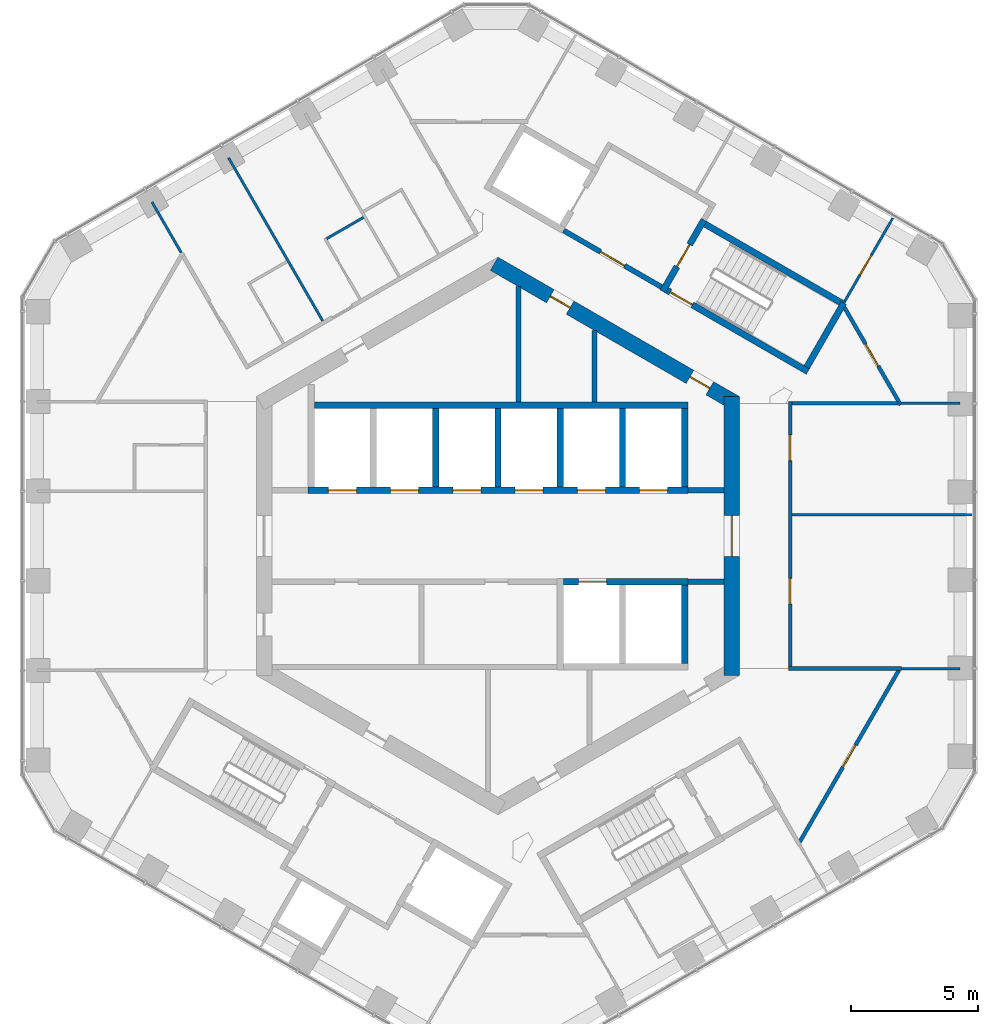
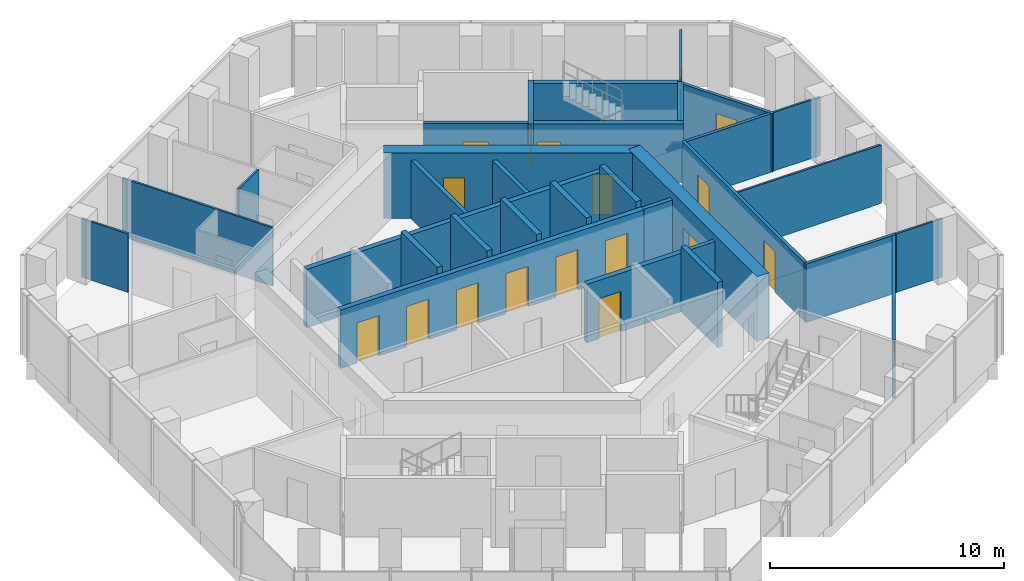
# One storey, part 16 of 19: 32 walls, 18 doors, 18 openings.
"""IFC4 building model written with IfcOpenShell, lengths in metres."""

from ifc_helpers import new_model, si_unit, direction, frame, frame_2d, origin, place, context, subcontext, project, spatial, rectangle, extrude, material, layer, layer_set, type_object, element, fill, save


model = new_model("IFC4")

# Units and contexts
model_context = context("Model", 3, precision=1e-05, world=origin(), true_north=direction((0.0, 1.0)))
body_context = subcontext(model_context, "Body", "Model", "MODEL_VIEW")
ifc_project = project(units=[si_unit("LENGTHUNIT", "METRE"), si_unit("AREAUNIT", "SQUARE_METRE"), si_unit("VOLUMEUNIT", "CUBIC_METRE"), si_unit("PLANEANGLEUNIT", "RADIAN"), si_unit("MASSUNIT", "GRAM", prefix="KILO")], contexts=[model_context])

# Site, building, storey
site_placement = place(None, origin())
site = spatial("IfcSite", under=ifc_project, at=site_placement, CompositionType="ELEMENT")
building_placement = place(site_placement, origin())
building = spatial("IfcBuilding", under=site, at=building_placement, Name="Ayvan Gate Tower", CompositionType="ELEMENT")
storey_placement = place(building_placement, frame((0.0, 0.0, 156.10009765625)))
storey = spatial("IfcBuildingStorey", under=building, at=storey_placement, Name="L41", CompositionType="ELEMENT", Elevation=156.10009765625)

# Wall, opening, door
ifc_material_1 = material(Name="Concrete C60/75", Category="concrete")
ifc_layer_1 = layer(ifc_material_1, 0.60009765625)
ifc_layer_set_1 = layer_set([ifc_layer_1], Name="Concrete C60/75")
wall_type_1 = type_object("IfcWallType", Name="Core wall 600 C60/75", PredefinedType="SHEAR", material=ifc_layer_set_1)
wall_1_placement = place(storey_placement, frame((9.199951171875, -5.48486328125, 0.0), z_axis=(0.0, 0.0, 1.0), x_axis=(0.0, 1.0, 0.0)))
wall_1 = element("IfcWall", 1, at=wall_1_placement, inside=storey, type_object=wall_type_1, Name="CORE-L41-0", PredefinedType="SHEAR", context=body_context, shape_type="SweptSolid", body=[
    extrude(rectangle(XDim=10.9697265625, YDim=0.60009765625, at=frame_2d((5.48486328125, 0.0))), origin(), (0.0, 0.0, 1.0), 3.39990234375),
])
opening_1_placement = place(wall_1_placement, frame((4.684814453125, 0.0, 0.0)))
opening_1 = element("IfcOpeningElement", 2, at=opening_1_placement, cuts=wall_1, Name="Opening L41-D52", PredefinedType="OPENING", context=body_context, shape_type="SweptSolid", body=[
    extrude(rectangle(XDim=1.60009765625, YDim=2.10009765625, at=frame_2d((0.800048828125, 1.050048828125))), frame((0.0, 0.31005859375, 0.0), z_axis=(0.0, -1.0, 0.0), x_axis=(1.0, 0.0, 0.0)), (0.0, 0.0, 1.0), 0.6201171875),
])
ifc_material_2 = material(Name="Timber door leaf", Category="wood")
door_type_1 = type_object("IfcDoorType", Name="DT-1600", OperationType="NOTDEFINED", PredefinedType="DOOR", material=ifc_material_2)
door_1_placement = place(opening_1_placement, origin())
door_1 = element("IfcDoor", 3, at=door_1_placement, inside=storey, type_object=door_type_1, Name="CD-L41-52", OperationType="SINGLE_SWING_LEFT", OverallHeight=2.10009765625, OverallWidth=1.60009765625, PredefinedType="DOOR", context=body_context, shape_type="SweptSolid", body=[
    extrude(rectangle(XDim=1.60009765625, YDim=2.10009765625, at=frame_2d((0.800048828125, 1.050048828125))), frame((0.0, 0.02490234375, 0.0), z_axis=(0.0, -1.0, 0.0), x_axis=(1.0, 0.0, 0.0)), (0.0, 0.0, 1.0), 0.050048828125),
])
fill(opening_1, door_1)

# Wall, openings, doors
wall_2_placement = place(storey_placement, frame((9.35009765625, 5.22509765625, 0.0), z_axis=(0.0, 0.0, 1.0), x_axis=(-0.866023993627, 0.500002442456, 0.0)))
wall_2 = element("IfcWall", 4, at=wall_2_placement, inside=storey, type_object=wall_type_1, Name="CORE-L41-1", PredefinedType="SHEAR", context=body_context, shape_type="SweptSolid", body=[
    extrude(rectangle(XDim=10.9697265625, YDim=0.60009765625, at=frame_2d((5.48486328125, 0.0))), origin(), (0.0, 0.0, 1.0), 3.39990234375),
])
opening_2_placement = place(wall_2_placement, frame((7.51806640625, 0.0, 0.0)))
opening_2 = element("IfcOpeningElement", 5, at=opening_2_placement, cuts=wall_2, Name="Opening L41-D46", PredefinedType="OPENING", context=body_context, shape_type="SweptSolid", body=[
    extrude(rectangle(XDim=0.89990234375, YDim=2.10009765625, at=frame_2d((0.449951171875, 1.050048828125))), frame((0.0, 0.31005859375, 0.0), z_axis=(0.0, -1.0, 0.0), x_axis=(1.0, 0.0, 0.0)), (0.0, 0.0, 1.0), 0.6201171875),
])
opening_3_placement = place(wall_2_placement, frame((1.171875, 0.0, 0.0)))
opening_3 = element("IfcOpeningElement", 6, at=opening_3_placement, cuts=wall_2, Name="Opening L41-D47", PredefinedType="OPENING", context=body_context, shape_type="SweptSolid", body=[
    extrude(rectangle(XDim=0.89990234375, YDim=2.10009765625, at=frame_2d((0.449951171875, 1.050048828125))), frame((0.0, 0.31005859375, 0.0), z_axis=(0.0, -1.0, 0.0), x_axis=(1.0, 0.0, 0.0)), (0.0, 0.0, 1.0), 0.6201171875),
])
door_type_2 = type_object("IfcDoorType", Name="DT-900", OperationType="NOTDEFINED", PredefinedType="DOOR", material=ifc_material_2)
door_2_placement = place(opening_2_placement, origin())
door_2 = element("IfcDoor", 7, at=door_2_placement, inside=storey, type_object=door_type_2, Name="CD-L41-46", OperationType="SINGLE_SWING_LEFT", OverallHeight=2.10009765625, OverallWidth=0.89990234375, PredefinedType="DOOR", context=body_context, shape_type="SweptSolid", body=[
    extrude(rectangle(XDim=0.89990234375, YDim=2.10009765625, at=frame_2d((0.449951171875, 1.050048828125))), frame((0.0, 0.02490234375, 0.0), z_axis=(0.0, -1.0, 0.0), x_axis=(1.0, 0.0, 0.0)), (0.0, 0.0, 1.0), 0.050048828125),
])
fill(opening_2, door_2)
door_3_placement = place(opening_3_placement, origin())
door_3 = element("IfcDoor", 8, at=door_3_placement, inside=storey, type_object=door_type_2, Name="CD-L41-47", OperationType="SINGLE_SWING_RIGHT", OverallHeight=2.10009765625, OverallWidth=0.89990234375, PredefinedType="DOOR", context=body_context, shape_type="SweptSolid", body=[
    extrude(rectangle(XDim=0.89990234375, YDim=2.10009765625, at=frame_2d((0.449951171875, 1.050048828125))), frame((0.0, 0.02490234375, 0.0), z_axis=(0.0, -1.0, 0.0), x_axis=(1.0, 0.0, 0.0)), (0.0, 0.0, 1.0), 0.050048828125),
])
fill(opening_3, door_3)

# Wall
ifc_material_3 = material(Name="Plasterboard on steel stud", Category="steel")
ifc_layer_2 = layer(ifc_material_3, 0.14990234375)
ifc_layer_set_2 = layer_set([ifc_layer_2], Name="Plasterboard on steel stud")
wall_type_2 = type_object("IfcWallType", Name="WT-CORR-150", PredefinedType="PARTITIONING", material=ifc_layer_set_2)
wall_3_placement = place(storey_placement, frame((11.4248046875, -5.2197265625, 0.0), z_axis=(0.0, 0.0, 1.0), x_axis=(1.0, 0.0, 0.0)))
element("IfcWall", 9, at=wall_3_placement, inside=storey, type_object=wall_type_2, Name="IW-L41-093", PredefinedType="PARTITIONING", context=body_context, shape_type="SweptSolid", body=[
    extrude(rectangle(XDim=4.460205078125, YDim=0.14990234375, at=frame_2d((2.22998046875, 0.0))), origin(), (0.0, 0.0, 1.0), 3.0498046875),
])

# Wall, openings, doors
wall_4_placement = place(storey_placement, frame((11.5, -5.144775390625, 0.0), z_axis=(0.0, 0.0, 1.0), x_axis=(0.0, 1.0, 0.0)))
wall_4 = element("IfcWall", 10, at=wall_4_placement, inside=storey, type_object=wall_type_2, Name="IW-L41-095", PredefinedType="PARTITIONING", context=body_context, shape_type="SweptSolid", body=[
    extrude(rectangle(XDim=10.439453125, YDim=0.14990234375, at=frame_2d((5.2197265625, 0.0))), origin(), (0.0, 0.0, 1.0), 3.0498046875),
])
opening_4_placement = place(wall_4_placement, frame((2.474853515625, 0.0, 0.0)))
opening_4 = element("IfcOpeningElement", 11, at=opening_4_placement, cuts=wall_4, Name="Opening L41-D21", PredefinedType="OPENING", context=body_context, shape_type="SweptSolid", body=[
    extrude(rectangle(XDim=1.0, YDim=2.10009765625, at=frame_2d((0.5, 1.050048828125))), frame((0.0, 0.0849609375, 0.0), z_axis=(0.0, -1.0, 0.0), x_axis=(1.0, 0.0, 0.0)), (0.0, 0.0, 1.0), 0.169921875),
])
opening_5_placement = place(wall_4_placement, frame((8.109375, 0.0, 0.0)))
opening_5 = element("IfcOpeningElement", 12, at=opening_5_placement, cuts=wall_4, Name="Opening L41-D22", PredefinedType="OPENING", context=body_context, shape_type="SweptSolid", body=[
    extrude(rectangle(XDim=1.0, YDim=2.10009765625, at=frame_2d((0.5, 1.050048828125))), frame((0.0, 0.0849609375, 0.0), z_axis=(0.0, -1.0, 0.0), x_axis=(1.0, 0.0, 0.0)), (0.0, 0.0, 1.0), 0.169921875),
])
door_type_3 = type_object("IfcDoorType", Name="DT-1000", OperationType="NOTDEFINED", PredefinedType="DOOR", material=ifc_material_2)
door_4_placement = place(opening_4_placement, origin())
door_4 = element("IfcDoor", 13, at=door_4_placement, inside=storey, type_object=door_type_3, Name="ID-L41-021", OperationType="SINGLE_SWING_RIGHT", OverallHeight=2.10009765625, OverallWidth=1.0, PredefinedType="DOOR", context=body_context, shape_type="SweptSolid", body=[
    extrude(rectangle(XDim=1.0, YDim=2.10009765625, at=frame_2d((0.5, 1.050048828125))), frame((0.0, 0.02490234375, 0.0), z_axis=(0.0, -1.0, 0.0), x_axis=(1.0, 0.0, 0.0)), (0.0, 0.0, 1.0), 0.050048828125),
])
fill(opening_4, door_4)
door_5_placement = place(opening_5_placement, origin())
door_5 = element("IfcDoor", 14, at=door_5_placement, inside=storey, type_object=door_type_3, Name="ID-L41-022", OperationType="SINGLE_SWING_LEFT", OverallHeight=2.10009765625, OverallWidth=1.0, PredefinedType="DOOR", context=body_context, shape_type="SweptSolid", body=[
    extrude(rectangle(XDim=1.0, YDim=2.10009765625, at=frame_2d((0.5, 1.050048828125))), frame((0.0, 0.02490234375, 0.0), z_axis=(0.0, -1.0, 0.0), x_axis=(1.0, 0.0, 0.0)), (0.0, 0.0, 1.0), 0.050048828125),
])
fill(opening_5, door_5)

# Wall, opening, door
wall_5_placement = place(storey_placement, frame((13.631103515625, 8.993408203125, 0.0), z_axis=(0.0, 0.0, 1.0), x_axis=(0.500013290014, -0.866017730655, 0.0)))
wall_5 = element("IfcWall", 15, at=wall_5_placement, inside=storey, type_object=wall_type_2, Name="IW-L41-099", PredefinedType="PARTITIONING", context=body_context, shape_type="SweptSolid", body=[
    extrude(rectangle(XDim=4.4326171875, YDim=0.14990234375, at=frame_2d((2.21630859375, 0.0))), origin(), (0.0, 0.0, 1.0), 3.0498046875),
])
opening_6_placement = place(wall_5_placement, frame((1.661376953125, 0.0, 0.0)))
opening_6 = element("IfcOpeningElement", 16, at=opening_6_placement, cuts=wall_5, Name="Opening L41-D23", PredefinedType="OPENING", context=body_context, shape_type="SweptSolid", body=[
    extrude(rectangle(XDim=1.0, YDim=2.10009765625, at=frame_2d((0.5, 1.050048828125))), frame((0.0, 0.0849609375, 0.0), z_axis=(0.0, -1.0, 0.0), x_axis=(1.0, 0.0, 0.0)), (0.0, 0.0, 1.0), 0.169921875),
])
door_6_placement = place(opening_6_placement, origin())
door_6 = element("IfcDoor", 17, at=door_6_placement, inside=storey, type_object=door_type_3, Name="ID-L41-023", OperationType="SINGLE_SWING_RIGHT", OverallHeight=2.10009765625, OverallWidth=1.0, PredefinedType="DOOR", context=body_context, shape_type="SweptSolid", body=[
    extrude(rectangle(XDim=1.0, YDim=2.10009765625, at=frame_2d((0.5, 1.050048828125))), frame((0.0, 0.02490234375, 0.0), z_axis=(0.0, -1.0, 0.0), x_axis=(1.0, 0.0, 0.0)), (0.0, 0.0, 1.0), 0.050048828125),
])
fill(opening_6, door_6)

# Wall
wall_6_placement = place(storey_placement, frame((15.73486328125, 5.2197265625, 0.0), z_axis=(0.0, 0.0, 1.0), x_axis=(-1.0, 0.0, 0.0)))
element("IfcWall", 18, at=wall_6_placement, inside=storey, type_object=wall_type_2, Name="IW-L41-103", PredefinedType="PARTITIONING", context=body_context, shape_type="SweptSolid", body=[
    extrude(rectangle(XDim=4.159912109375, YDim=0.14990234375, at=frame_2d((2.080078125, 0.0))), origin(), (0.0, 0.0, 1.0), 3.0498046875),
])

# Wall, opening, door
wall_7_placement = place(storey_placement, frame((15.7724609375, -5.28466796875, 0.0), z_axis=(0.0, 0.0, 1.0), x_axis=(-0.500018810599, -0.866014543207, 0.0)))
wall_7 = element("IfcWall", 19, at=wall_7_placement, inside=storey, type_object=wall_type_2, Name="IW-L41-104", PredefinedType="PARTITIONING", context=body_context, shape_type="SweptSolid", body=[
    extrude(rectangle(XDim=7.796630859375, YDim=0.14990234375, at=frame_2d((3.8984375, 0.0))), origin(), (0.0, 0.0, 1.0), 3.0498046875),
])
opening_7_placement = place(wall_7_placement, frame((3.398193359375, 0.0, 0.0)))
opening_7 = element("IfcOpeningElement", 20, at=opening_7_placement, cuts=wall_7, Name="Opening L41-D37", PredefinedType="OPENING", context=body_context, shape_type="SweptSolid", body=[
    extrude(rectangle(XDim=1.0, YDim=2.10009765625, at=frame_2d((0.5, 1.050048828125))), frame((0.0, 0.0849609375, 0.0), z_axis=(0.0, -1.0, 0.0), x_axis=(1.0, 0.0, 0.0)), (0.0, 0.0, 1.0), 0.169921875),
])
door_7_placement = place(opening_7_placement, origin())
door_7 = element("IfcDoor", 21, at=door_7_placement, inside=storey, type_object=door_type_3, Name="ID-L41-037", OperationType="SINGLE_SWING_RIGHT", OverallHeight=2.10009765625, OverallWidth=1.0, PredefinedType="DOOR", context=body_context, shape_type="SweptSolid", body=[
    extrude(rectangle(XDim=1.0, YDim=2.10009765625, at=frame_2d((0.5, 1.050048828125))), frame((0.0, 0.02490234375, 0.0), z_axis=(0.0, -1.0, 0.0), x_axis=(1.0, 0.0, 0.0)), (0.0, 0.0, 1.0), 0.050048828125),
])
fill(opening_7, door_7)

# Walls
ifc_layer_3 = layer(ifc_material_3, 0.10009765625)
ifc_layer_set_3 = layer_set([ifc_layer_3], Name="Plasterboard on steel stud")
wall_type_3 = type_object("IfcWallType", Name="WT-PART-100", PredefinedType="PARTITIONING", material=ifc_layer_set_3)
wall_8_placement = place(storey_placement, frame((-13.613525390625, 13.14013671875, 0.0), z_axis=(0.0, 0.0, 1.0), x_axis=(0.49996120575, -0.866047800497, 0.0)))
element("IfcWall", 22, at=wall_8_placement, inside=storey, type_object=wall_type_3, Name="IW-L41-006", PredefinedType="PARTITIONING", context=body_context, shape_type="SweptSolid", body=[
    extrude(rectangle(XDim=2.301513671875, YDim=0.10009765625, at=frame_2d((1.15087890625, 0.0))), origin(), (0.0, 0.0, 1.0), 3.0498046875),
])
wall_9_placement = place(storey_placement, frame((-10.60009765625, 14.880126953125, 0.0), z_axis=(0.0, 0.0, 1.0), x_axis=(0.499997136009, -0.866027057304, 0.0)))
element("IfcWall", 23, at=wall_9_placement, inside=storey, type_object=wall_type_3, Name="IW-L41-022", PredefinedType="PARTITIONING", context=body_context, shape_type="SweptSolid", body=[
    extrude(rectangle(XDim=7.41162109375, YDim=0.10009765625, at=frame_2d((3.705810546875, 0.0))), origin(), (0.0, 0.0, 1.0), 3.0498046875),
])
wall_10_placement = place(storey_placement, frame((-5.28662109375, 12.536376953125, 0.0), z_axis=(0.0, 0.0, 1.0), x_axis=(-0.865953201874, -0.50012503653, 0.0)))
element("IfcWall", 24, at=wall_10_placement, inside=storey, type_object=wall_type_3, Name="IW-L41-034", PredefinedType="PARTITIONING", context=body_context, shape_type="SweptSolid", body=[
    extrude(rectangle(XDim=1.6796875, YDim=0.10009765625, at=frame_2d((0.83984375, 0.0))), origin(), (0.0, 0.0, 1.0), 3.0498046875),
])
wall_11_placement = place(storey_placement, frame((11.574951171875, 0.835205078125, 0.0), z_axis=(0.0, 0.0, 1.0), x_axis=(1.0, 0.0, 0.0)))
element("IfcWall", 25, at=wall_11_placement, inside=storey, type_object=wall_type_3, Name="IW-L41-094", PredefinedType="PARTITIONING", context=body_context, shape_type="SweptSolid", body=[
    extrude(rectangle(XDim=7.08251953125, YDim=0.10009765625, at=frame_2d((3.541259765625, 0.0))), origin(), (0.0, 0.0, 1.0), 3.0498046875),
])

# Wall, opening, door
wall_12_placement = place(storey_placement, frame((13.647705078125, 9.23876953125, 0.0), z_axis=(0.0, 0.0, 1.0), x_axis=(0.500008086624, 0.86602073492, 0.0)))
wall_12 = element("IfcWall", 26, at=wall_12_placement, inside=storey, type_object=wall_type_3, Name="IW-L41-101", PredefinedType="PARTITIONING", context=body_context, shape_type="SweptSolid", body=[
    extrude(rectangle(XDim=3.7734375, YDim=0.10009765625, at=frame_2d((1.88671875, 0.0))), origin(), (0.0, 0.0, 1.0), 3.0498046875),
])
opening_8_placement = place(wall_12_placement, frame((1.201171875, 0.0, 0.0)))
opening_8 = element("IfcOpeningElement", 27, at=opening_8_placement, cuts=wall_12, Name="Opening L41-D24", PredefinedType="OPENING", context=body_context, shape_type="SweptSolid", body=[
    extrude(rectangle(XDim=0.89990234375, YDim=2.10009765625, at=frame_2d((0.449951171875, 1.050048828125))), frame((0.0, 0.06005859375, 0.0), z_axis=(0.0, -1.0, 0.0), x_axis=(1.0, 0.0, 0.0)), (0.0, 0.0, 1.0), 0.1201171875),
])
door_8_placement = place(opening_8_placement, origin())
door_8 = element("IfcDoor", 28, at=door_8_placement, inside=storey, type_object=door_type_2, Name="ID-L41-024", OperationType="SINGLE_SWING_LEFT", OverallHeight=2.10009765625, OverallWidth=0.89990234375, PredefinedType="DOOR", context=body_context, shape_type="SweptSolid", body=[
    extrude(rectangle(XDim=0.89990234375, YDim=2.10009765625, at=frame_2d((0.449951171875, 1.050048828125))), frame((0.0, 0.02490234375, 0.0), z_axis=(0.0, -1.0, 0.0), x_axis=(1.0, 0.0, 0.0)), (0.0, 0.0, 1.0), 0.050048828125),
])
fill(opening_8, door_8)

# Walls
wall_13_placement = place(storey_placement, frame((15.884765625, 5.2197265625, 0.0), z_axis=(0.0, 0.0, 1.0), x_axis=(1.0, 0.0, 0.0)))
element("IfcWall", 29, at=wall_13_placement, inside=storey, type_object=wall_type_3, Name="IW-L41-102", PredefinedType="PARTITIONING", context=body_context, shape_type="SweptSolid", body=[
    extrude(rectangle(XDim=2.3017578125, YDim=0.10009765625, at=frame_2d((1.15087890625, 0.0))), origin(), (0.0, 0.0, 1.0), 3.0498046875),
])
wall_14_placement = place(storey_placement, frame((18.1865234375, -5.2197265625, 0.0), z_axis=(0.0, 0.0, 1.0), x_axis=(-1.0, 0.0, 0.0)))
element("IfcWall", 30, at=wall_14_placement, inside=storey, type_object=wall_type_3, Name="IW-L41-105", PredefinedType="PARTITIONING", context=body_context, shape_type="SweptSolid", body=[
    extrude(rectangle(XDim=2.301513671875, YDim=0.10009765625, at=frame_2d((1.15087890625, 0.0))), origin(), (0.0, 0.0, 1.0), 3.0498046875),
])
ifc_layer_4 = layer(ifc_material_3, 0.199951171875)
ifc_layer_set_4 = layer_set([ifc_layer_4], Name="Plasterboard on steel stud")
wall_type_4 = type_object("IfcWallType", Name="WT-RATED-200", PredefinedType="PARTITIONING", material=ifc_layer_set_4)
wall_15_placement = place(storey_placement, frame((0.800048828125, 9.81494140625, 0.0), z_axis=(0.0, 0.0, 1.0), x_axis=(0.0, -1.0, 0.0)))
element("IfcWall", 31, at=wall_15_placement, inside=storey, type_object=wall_type_4, Name="IW-L41-055", PredefinedType="PARTITIONING", context=body_context, shape_type="SweptSolid", body=[
    extrude(rectangle(XDim=4.5400390625, YDim=0.199951171875, at=frame_2d((2.27001953125, 0.0))), origin(), (0.0, 0.0, 1.0), 3.0498046875),
])
wall_16_placement = place(storey_placement, frame((3.800048828125, 8.0830078125, 0.0), z_axis=(0.0, 0.0, 1.0), x_axis=(0.0, -1.0, 0.0)))
element("IfcWall", 32, at=wall_16_placement, inside=storey, type_object=wall_type_4, Name="IW-L41-070", PredefinedType="PARTITIONING", context=body_context, shape_type="SweptSolid", body=[
    extrude(rectangle(XDim=2.80810546875, YDim=0.199951171875, at=frame_2d((1.404052734375, 0.0))), origin(), (0.0, 0.0, 1.0), 3.0498046875),
])

# Wall, opening, door
wall_17_placement = place(storey_placement, frame((6.4345703125, 9.794921875, 0.0), z_axis=(0.0, 0.0, 1.0), x_axis=(-0.866012907634, 0.500021643343, 0.0)))
wall_17 = element("IfcWall", 33, at=wall_17_placement, inside=storey, type_object=wall_type_4, Name="IW-L41-079", PredefinedType="PARTITIONING", context=body_context, shape_type="SweptSolid", body=[
    extrude(rectangle(XDim=4.449951171875, YDim=0.199951171875, at=frame_2d((2.22509765625, 0.0))), origin(), (0.0, 0.0, 1.0), 3.0498046875),
])
opening_9_placement = place(wall_17_placement, frame((1.675048828125, 0.0, 0.0)))
opening_9 = element("IfcOpeningElement", 34, at=opening_9_placement, cuts=wall_17, Name="Opening L41-D12", PredefinedType="OPENING", context=body_context, shape_type="SweptSolid", body=[
    extrude(rectangle(XDim=1.10009765625, YDim=2.10009765625, at=frame_2d((0.550048828125, 1.050048828125))), frame((0.0, 0.10986328125, 0.0), z_axis=(0.0, -1.0, 0.0), x_axis=(1.0, 0.0, 0.0)), (0.0, 0.0, 1.0), 0.219970703125),
])
door_type_4 = type_object("IfcDoorType", Name="DT-1100", OperationType="NOTDEFINED", PredefinedType="DOOR", material=ifc_material_2)
door_9_placement = place(opening_9_placement, origin())
door_9 = element("IfcDoor", 35, at=door_9_placement, inside=storey, type_object=door_type_4, Name="ID-L41-012", OperationType="SINGLE_SWING_LEFT", OverallHeight=2.10009765625, OverallWidth=1.10009765625, PredefinedType="DOOR", context=body_context, shape_type="SweptSolid", body=[
    extrude(rectangle(XDim=1.10009765625, YDim=2.10009765625, at=frame_2d((0.550048828125, 1.050048828125))), frame((0.0, 0.02490234375, 0.0), z_axis=(0.0, -1.0, 0.0), x_axis=(1.0, 0.0, 0.0)), (0.0, 0.0, 1.0), 0.050048828125),
])
fill(opening_9, door_9)

# Walls
for number, where, z_axis, x_axis, name in (
    (36, (7.474853515625, 1.800048828125, 0.0), (0.0, 0.0, 1.0), (1.0, 0.0, 0.0), "IW-L41-084"),
    (37, (8.89990234375, -1.800048828125, 0.0), (0.0, 0.0, 1.0), (-1.0, 0.0, 0.0), "IW-L41-090"),
):
    element("IfcWall", number, at=place(storey_placement, frame(where, z_axis=z_axis, x_axis=x_axis)), inside=storey, type_object=wall_type_4, Name=name, PredefinedType="PARTITIONING", context=body_context, shape_type="SweptSolid", body=[
        extrude(rectangle(XDim=1.425048828125, YDim=0.199951171875, at=frame_2d((0.71240234375, 0.0))), origin(), (0.0, 0.0, 1.0), 3.0498046875),
    ])

# Wall, openings, doors
ifc_material_4 = material(Name="Concrete C50/60", Category="concrete")
ifc_layer_5 = layer(ifc_material_4, 0.25)
ifc_layer_set_5 = layer_set([ifc_layer_5], Name="Concrete C50/60")
wall_type_5 = type_object("IfcWallType", Name="WT-RC-250", PredefinedType="SHEAR", material=ifc_layer_set_5)
wall_18_placement = place(storey_placement, frame((-7.47509765625, 1.800048828125, 0.0), z_axis=(0.0, 0.0, 1.0), x_axis=(1.0, 0.0, 0.0)))
wall_18 = element("IfcWall", 38, at=wall_18_placement, inside=storey, type_object=wall_type_5, Name="IW-L41-026", PredefinedType="SHEAR", context=body_context, shape_type="SweptSolid", body=[
    extrude(rectangle(XDim=14.9501953125, YDim=0.25, at=frame_2d((7.47509765625, 0.0))), origin(), (0.0, 0.0, 1.0), 3.0498046875),
])
opening_10_placement = place(wall_18_placement, frame((0.800048828125, 0.0, 0.0)))
opening_10 = element("IfcOpeningElement", 39, at=opening_10_placement, cuts=wall_18, Name="Opening L41-LD-HR1", PredefinedType="OPENING", context=body_context, shape_type="SweptSolid", body=[
    extrude(rectangle(XDim=1.10009765625, YDim=2.10009765625, at=frame_2d((0.550048828125, 1.050048828125))), frame((0.0, 0.135009765625, 0.0), z_axis=(0.0, -1.0, 0.0), x_axis=(1.0, 0.0, 0.0)), (0.0, 0.0, 1.0), 0.27001953125),
])
opening_11_placement = place(wall_18_placement, frame((3.25, 0.0, 0.0)))
opening_11 = element("IfcOpeningElement", 40, at=opening_11_placement, cuts=wall_18, Name="Opening L41-LD-HR2", PredefinedType="OPENING", context=body_context, shape_type="SweptSolid", body=[
    extrude(rectangle(XDim=1.10009765625, YDim=2.10009765625, at=frame_2d((0.550048828125, 1.050048828125))), frame((0.0, 0.135009765625, 0.0), z_axis=(0.0, -1.0, 0.0), x_axis=(1.0, 0.0, 0.0)), (0.0, 0.0, 1.0), 0.27001953125),
])
opening_12_placement = place(wall_18_placement, frame((5.7001953125, 0.0, 0.0)))
opening_12 = element("IfcOpeningElement", 41, at=opening_12_placement, cuts=wall_18, Name="Opening L41-LD-HR3", PredefinedType="OPENING", context=body_context, shape_type="SweptSolid", body=[
    extrude(rectangle(XDim=1.10009765625, YDim=2.10009765625, at=frame_2d((0.550048828125, 1.050048828125))), frame((0.0, 0.135009765625, 0.0), z_axis=(0.0, -1.0, 0.0), x_axis=(1.0, 0.0, 0.0)), (0.0, 0.0, 1.0), 0.27001953125),
])
opening_13_placement = place(wall_18_placement, frame((8.150146484375, 0.0, 0.0)))
opening_13 = element("IfcOpeningElement", 42, at=opening_13_placement, cuts=wall_18, Name="Opening L41-LD-HR4", PredefinedType="OPENING", context=body_context, shape_type="SweptSolid", body=[
    extrude(rectangle(XDim=1.10009765625, YDim=2.10009765625, at=frame_2d((0.550048828125, 1.050048828125))), frame((0.0, 0.135009765625, 0.0), z_axis=(0.0, -1.0, 0.0), x_axis=(1.0, 0.0, 0.0)), (0.0, 0.0, 1.0), 0.27001953125),
])
opening_14_placement = place(wall_18_placement, frame((10.60009765625, 0.0, 0.0)))
opening_14 = element("IfcOpeningElement", 43, at=opening_14_placement, cuts=wall_18, Name="Opening L41-LD-HR5", PredefinedType="OPENING", context=body_context, shape_type="SweptSolid", body=[
    extrude(rectangle(XDim=1.10009765625, YDim=2.10009765625, at=frame_2d((0.550048828125, 1.050048828125))), frame((0.0, 0.135009765625, 0.0), z_axis=(0.0, -1.0, 0.0), x_axis=(1.0, 0.0, 0.0)), (0.0, 0.0, 1.0), 0.27001953125),
])
opening_15_placement = place(wall_18_placement, frame((13.050048828125, 0.0, 0.0)))
opening_15 = element("IfcOpeningElement", 44, at=opening_15_placement, cuts=wall_18, Name="Opening L41-LD-HR6", PredefinedType="OPENING", context=body_context, shape_type="SweptSolid", body=[
    extrude(rectangle(XDim=1.10009765625, YDim=2.10009765625, at=frame_2d((0.550048828125, 1.050048828125))), frame((0.0, 0.135009765625, 0.0), z_axis=(0.0, -1.0, 0.0), x_axis=(1.0, 0.0, 0.0)), (0.0, 0.0, 1.0), 0.27001953125),
])
ifc_material_5 = material(Name="Stainless steel landing door", Category="steel")
door_type_5 = type_object("IfcDoorType", Name="DT-LANDING-1100", OperationType="SLIDING_TO_LEFT", PredefinedType="DOOR", material=ifc_material_5)
door_10_placement = place(opening_10_placement, origin())
door_10 = element("IfcDoor", 45, at=door_10_placement, inside=storey, type_object=door_type_5, Name="ID-L41-001", OperationType="SLIDING_TO_LEFT", OverallHeight=2.10009765625, OverallWidth=1.10009765625, PredefinedType="DOOR", context=body_context, shape_type="SweptSolid", body=[
    extrude(rectangle(XDim=1.10009765625, YDim=2.10009765625, at=frame_2d((0.550048828125, 1.050048828125))), frame((0.0, 0.02490234375, 0.0), z_axis=(0.0, -1.0, 0.0), x_axis=(1.0, 0.0, 0.0)), (0.0, 0.0, 1.0), 0.050048828125),
])
fill(opening_10, door_10)
door_11_placement = place(opening_11_placement, origin())
door_11 = element("IfcDoor", 46, at=door_11_placement, inside=storey, type_object=door_type_5, Name="ID-L41-002", OperationType="SLIDING_TO_LEFT", OverallHeight=2.10009765625, OverallWidth=1.10009765625, PredefinedType="DOOR", context=body_context, shape_type="SweptSolid", body=[
    extrude(rectangle(XDim=1.10009765625, YDim=2.10009765625, at=frame_2d((0.550048828125, 1.050048828125))), frame((0.0, 0.02490234375, 0.0), z_axis=(0.0, -1.0, 0.0), x_axis=(1.0, 0.0, 0.0)), (0.0, 0.0, 1.0), 0.050048828125),
])
fill(opening_11, door_11)
door_12_placement = place(opening_12_placement, origin())
door_12 = element("IfcDoor", 47, at=door_12_placement, inside=storey, type_object=door_type_5, Name="ID-L41-003", OperationType="SLIDING_TO_LEFT", OverallHeight=2.10009765625, OverallWidth=1.10009765625, PredefinedType="DOOR", context=body_context, shape_type="SweptSolid", body=[
    extrude(rectangle(XDim=1.10009765625, YDim=2.10009765625, at=frame_2d((0.550048828125, 1.050048828125))), frame((0.0, 0.02490234375, 0.0), z_axis=(0.0, -1.0, 0.0), x_axis=(1.0, 0.0, 0.0)), (0.0, 0.0, 1.0), 0.050048828125),
])
fill(opening_12, door_12)
door_13_placement = place(opening_13_placement, origin())
door_13 = element("IfcDoor", 48, at=door_13_placement, inside=storey, type_object=door_type_5, Name="ID-L41-004", OperationType="SLIDING_TO_LEFT", OverallHeight=2.10009765625, OverallWidth=1.10009765625, PredefinedType="DOOR", context=body_context, shape_type="SweptSolid", body=[
    extrude(rectangle(XDim=1.10009765625, YDim=2.10009765625, at=frame_2d((0.550048828125, 1.050048828125))), frame((0.0, 0.02490234375, 0.0), z_axis=(0.0, -1.0, 0.0), x_axis=(1.0, 0.0, 0.0)), (0.0, 0.0, 1.0), 0.050048828125),
])
fill(opening_13, door_13)
door_14_placement = place(opening_14_placement, origin())
door_14 = element("IfcDoor", 49, at=door_14_placement, inside=storey, type_object=door_type_5, Name="ID-L41-005", OperationType="SLIDING_TO_LEFT", OverallHeight=2.10009765625, OverallWidth=1.10009765625, PredefinedType="DOOR", context=body_context, shape_type="SweptSolid", body=[
    extrude(rectangle(XDim=1.10009765625, YDim=2.10009765625, at=frame_2d((0.550048828125, 1.050048828125))), frame((0.0, 0.02490234375, 0.0), z_axis=(0.0, -1.0, 0.0), x_axis=(1.0, 0.0, 0.0)), (0.0, 0.0, 1.0), 0.050048828125),
])
fill(opening_14, door_14)
door_15_placement = place(opening_15_placement, origin())
door_15 = element("IfcDoor", 50, at=door_15_placement, inside=storey, type_object=door_type_5, Name="ID-L41-006", OperationType="SLIDING_TO_LEFT", OverallHeight=2.10009765625, OverallWidth=1.10009765625, PredefinedType="DOOR", context=body_context, shape_type="SweptSolid", body=[
    extrude(rectangle(XDim=1.10009765625, YDim=2.10009765625, at=frame_2d((0.550048828125, 1.050048828125))), frame((0.0, 0.02490234375, 0.0), z_axis=(0.0, -1.0, 0.0), x_axis=(1.0, 0.0, 0.0)), (0.0, 0.0, 1.0), 0.050048828125),
])
fill(opening_15, door_15)

# Walls
wall_19_placement = place(storey_placement, frame((-7.22509765625, 5.14990234375, 0.0), z_axis=(0.0, 0.0, 1.0), x_axis=(1.0, 0.0, 0.0)))
element("IfcWall", 51, at=wall_19_placement, inside=storey, type_object=wall_type_5, Name="IW-L41-028", PredefinedType="SHEAR", context=body_context, shape_type="SweptSolid", body=[
    extrude(rectangle(XDim=14.7001953125, YDim=0.25, at=frame_2d((7.35009765625, 0.0))), origin(), (0.0, 0.0, 1.0), 3.0498046875),
])
for number, where, z_axis, x_axis, name in (
    (52, (-2.449951171875, 5.02490234375, 0.0), (0.0, 0.0, 1.0), (0.0, -1.0, 0.0), "IW-L41-046"),
    (53, (0.0, 5.02490234375, 0.0), (0.0, 0.0, 1.0), (0.0, -1.0, 0.0), "IW-L41-054"),
    (54, (2.449951171875, 5.02490234375, 0.0), (0.0, 0.0, 1.0), (0.0, -1.0, 0.0), "IW-L41-060"),
    (55, (4.89990234375, 5.02490234375, 0.0), (0.0, 0.0, 1.0), (0.0, -1.0, 0.0), "IW-L41-074"),
):
    element("IfcWall", number, at=place(storey_placement, frame(where, z_axis=z_axis, x_axis=x_axis)), inside=storey, type_object=wall_type_5, Name=name, PredefinedType="SHEAR", context=body_context, shape_type="SweptSolid", body=[
        extrude(rectangle(XDim=3.099853515625, YDim=0.25, at=frame_2d((1.5498046875, 0.0))), origin(), (0.0, 0.0, 1.0), 3.39990234375),
    ])

# Wall, opening, door
wall_20_placement = place(storey_placement, frame((2.574951171875, -1.800048828125, 0.0), z_axis=(0.0, 0.0, 1.0), x_axis=(1.0, 0.0, 0.0)))
wall_20 = element("IfcWall", 56, at=wall_20_placement, inside=storey, type_object=wall_type_5, Name="IW-L41-075", PredefinedType="SHEAR", context=body_context, shape_type="SweptSolid", body=[
    extrude(rectangle(XDim=4.900146484375, YDim=0.25, at=frame_2d((2.4501953125, 0.0))), origin(), (0.0, 0.0, 1.0), 3.0498046875),
])
opening_16_placement = place(wall_20_placement, frame((0.597412109375, 0.0, 0.0)))
opening_16 = element("IfcOpeningElement", 57, at=opening_16_placement, cuts=wall_20, Name="Opening L41-LD-SV", PredefinedType="OPENING", context=body_context, shape_type="SweptSolid", body=[
    extrude(rectangle(XDim=1.10009765625, YDim=2.10009765625, at=frame_2d((0.550048828125, 1.050048828125))), frame((0.0, 0.135009765625, 0.0), z_axis=(0.0, -1.0, 0.0), x_axis=(1.0, 0.0, 0.0)), (0.0, 0.0, 1.0), 0.27001953125),
])
door_16_placement = place(opening_16_placement, origin())
door_16 = element("IfcDoor", 58, at=door_16_placement, inside=storey, type_object=door_type_5, Name="ID-L41-007", OperationType="SLIDING_TO_LEFT", OverallHeight=2.10009765625, OverallWidth=1.10009765625, PredefinedType="DOOR", context=body_context, shape_type="SweptSolid", body=[
    extrude(rectangle(XDim=1.10009765625, YDim=2.10009765625, at=frame_2d((0.550048828125, 1.050048828125))), frame((0.0, 0.02490234375, 0.0), z_axis=(0.0, -1.0, 0.0), x_axis=(1.0, 0.0, 0.0)), (0.0, 0.0, 1.0), 0.050048828125),
])
fill(opening_16, door_16)

wall_21_placement = place(storey_placement, frame((6.480224609375, 9.624267578125, 0.0), z_axis=(0.0, 0.0, 1.0), x_axis=(0.500017246033, 0.866015446554, 0.0)))
wall_21 = element("IfcWall", 59, at=wall_21_placement, inside=storey, type_object=wall_type_5, Name="IW-L41-080", PredefinedType="SHEAR", context=body_context, shape_type="SweptSolid", body=[
    extrude(rectangle(XDim=3.25, YDim=0.25, at=frame_2d((1.625, 0.0))), origin(), (0.0, 0.0, 1.0), 3.0498046875),
])
opening_17_placement = place(wall_21_placement, frame((1.125, 0.0, 0.0)))
opening_17 = element("IfcOpeningElement", 60, at=opening_17_placement, cuts=wall_21, Name="Opening L41-D11", PredefinedType="OPENING", context=body_context, shape_type="SweptSolid", body=[
    extrude(rectangle(XDim=1.0, YDim=2.10009765625, at=frame_2d((0.5, 1.050048828125))), frame((0.0, 0.135009765625, 0.0), z_axis=(0.0, -1.0, 0.0), x_axis=(1.0, 0.0, 0.0)), (0.0, 0.0, 1.0), 0.27001953125),
])
door_17_placement = place(opening_17_placement, origin())
door_17 = element("IfcDoor", 61, at=door_17_placement, inside=storey, type_object=door_type_3, Name="ID-L41-011", OperationType="SINGLE_SWING_RIGHT", OverallHeight=2.10009765625, OverallWidth=1.0, PredefinedType="DOOR", context=body_context, shape_type="SweptSolid", body=[
    extrude(rectangle(XDim=1.0, YDim=2.10009765625, at=frame_2d((0.5, 1.050048828125))), frame((0.0, 0.02490234375, 0.0), z_axis=(0.0, -1.0, 0.0), x_axis=(1.0, 0.0, 0.0)), (0.0, 0.0, 1.0), 0.050048828125),
])
fill(opening_17, door_17)

# Walls
for number, where, z_axis, x_axis, name in (
    (62, (7.35009765625, -1.925048828125, 0.0), (0.0, 0.0, 1.0), (0.0, -1.0, 0.0), "IW-L41-085"),
    (63, (7.35009765625, 5.02490234375, 0.0), (0.0, 0.0, 1.0), (0.0, -1.0, 0.0), "IW-L41-086"),
):
    element("IfcWall", number, at=place(storey_placement, frame(where, z_axis=z_axis, x_axis=x_axis)), inside=storey, type_object=wall_type_5, Name=name, PredefinedType="SHEAR", context=body_context, shape_type="SweptSolid", body=[
        extrude(rectangle(XDim=3.099853515625, YDim=0.25, at=frame_2d((1.5498046875, 0.0))), origin(), (0.0, 0.0, 1.0), 3.39990234375),
    ])
wall_22_placement = place(storey_placement, frame((8.151123046875, 12.26806640625, 0.0), z_axis=(0.0, 0.0, 1.0), x_axis=(0.866032601554, -0.49998753289, 0.0)))
element("IfcWall", 64, at=wall_22_placement, inside=storey, type_object=wall_type_5, Name="IW-L41-088", PredefinedType="SHEAR", context=body_context, shape_type="SweptSolid", body=[
    extrude(rectangle(XDim=6.324951171875, YDim=0.25, at=frame_2d((3.16259765625, 0.0))), origin(), (0.0, 0.0, 1.0), 3.0498046875),
])

# Wall, opening, door
wall_23_placement = place(storey_placement, frame((12.193603515625, 6.469970703125, 0.0), z_axis=(0.0, 0.0, 1.0), x_axis=(-0.866025499775, 0.499999833739, 0.0)))
wall_23 = element("IfcWall", 65, at=wall_23_placement, inside=storey, type_object=wall_type_5, Name="IW-L41-097", PredefinedType="SHEAR", context=body_context, shape_type="SweptSolid", body=[
    extrude(rectangle(XDim=6.39990234375, YDim=0.25, at=frame_2d((3.199951171875, 0.0))), origin(), (0.0, 0.0, 1.0), 3.0498046875),
])
opening_18_placement = place(wall_23_placement, frame((5.25, 0.0, 0.0)))
opening_18 = element("IfcOpeningElement", 66, at=opening_18_placement, cuts=wall_23, Name="Opening L41-D10", PredefinedType="OPENING", context=body_context, shape_type="SweptSolid", body=[
    extrude(rectangle(XDim=1.0, YDim=2.10009765625, at=frame_2d((0.5, 1.050048828125))), frame((0.0, 0.135009765625, 0.0), z_axis=(0.0, -1.0, 0.0), x_axis=(1.0, 0.0, 0.0)), (0.0, 0.0, 1.0), 0.27001953125),
])
door_18_placement = place(opening_18_placement, origin())
door_18 = element("IfcDoor", 67, at=door_18_placement, inside=storey, type_object=door_type_3, Name="ID-L41-010", OperationType="SINGLE_SWING_LEFT", OverallHeight=2.10009765625, OverallWidth=1.0, PredefinedType="DOOR", context=body_context, shape_type="SweptSolid", body=[
    extrude(rectangle(XDim=1.0, YDim=2.10009765625, at=frame_2d((0.5, 1.050048828125))), frame((0.0, 0.02490234375, 0.0), z_axis=(0.0, -1.0, 0.0), x_axis=(1.0, 0.0, 0.0)), (0.0, 0.0, 1.0), 0.050048828125),
])
fill(opening_18, door_18)

# Wall
wall_24_placement = place(storey_placement, frame((13.606201171875, 9.166748046875, 0.0), z_axis=(0.0, 0.0, 1.0), x_axis=(-0.499983307531, -0.866035040971, 0.0)))
element("IfcWall", 68, at=wall_24_placement, inside=storey, type_object=wall_type_5, Name="IW-L41-100", PredefinedType="SHEAR", context=body_context, shape_type="SweptSolid", body=[
    extrude(rectangle(XDim=2.91650390625, YDim=0.25, at=frame_2d((1.458251953125, 0.0))), origin(), (0.0, 0.0, 1.0), 3.0498046875),
])

save(model, "model.ifc")
